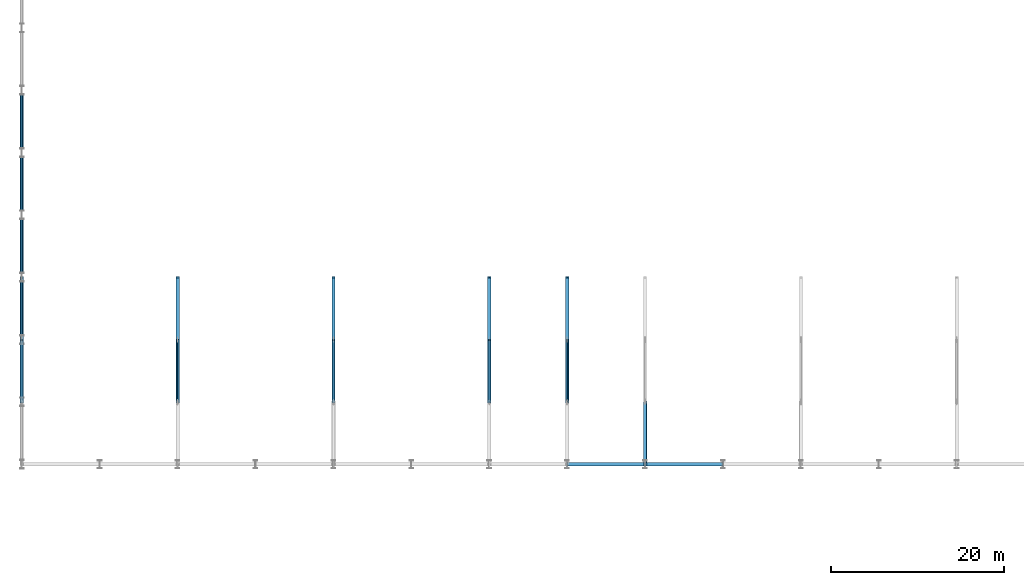
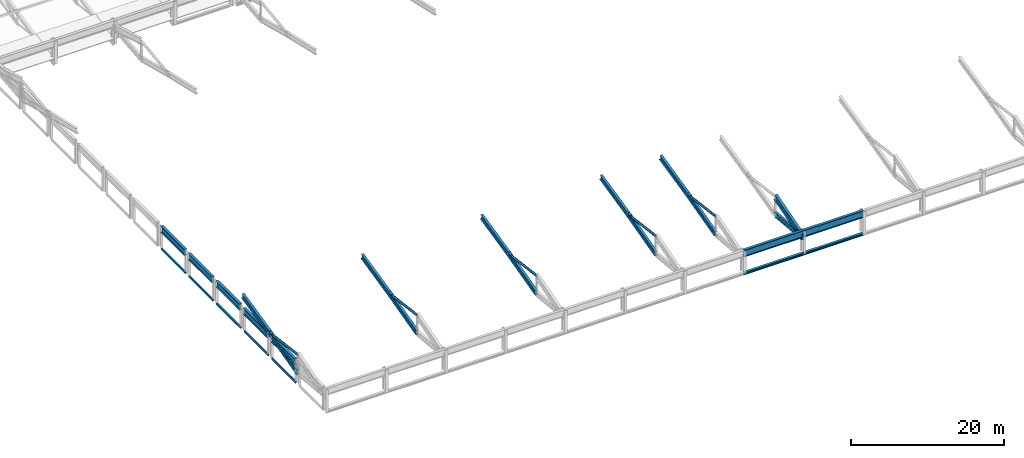
# One storey, part 16 of 151: 17 members, 14 beams.
"""IFC4 building model written with IfcOpenShell, lengths in metres."""

from ifc_helpers import new_model, si_unit, direction, frame, origin, origin_2d, place, context, subcontext, project, spatial, hollow_rectangle, hollow_circle, i_section, extrude, material, material_profile, profile_set, type_object, element, save


model = new_model("IFC4")

# Units and contexts
model_context = context("Model", 3, precision=1e-05, world=origin(), true_north=direction((0.0, 1.0)))
body_context = subcontext(model_context, "Body", "Model", "MODEL_VIEW")
ifc_project = project(units=[si_unit("LENGTHUNIT", "METRE"), si_unit("AREAUNIT", "SQUARE_METRE"), si_unit("VOLUMEUNIT", "CUBIC_METRE"), si_unit("PLANEANGLEUNIT", "RADIAN"), si_unit("MASSUNIT", "GRAM", prefix="KILO")], contexts=[model_context])

# Site, building, storey
site_placement = place(None, origin())
site = spatial("IfcSite", under=ifc_project, at=site_placement, CompositionType="ELEMENT")
building_placement = place(site_placement, origin())
building = spatial("IfcBuilding", under=site, at=building_placement, Name="Celestram Park Convention Centre", CompositionType="ELEMENT")
storey_placement = place(building_placement, frame((0.0, 0.0, 10.800048828125)))
storey = spatial("IfcBuildingStorey", under=building, at=storey_placement, Name="L02", CompositionType="ELEMENT", Elevation=10.800048828125)

# Beams
ifc_material_1 = material(Name="Steel ASTM A992 Grade 50", Category="steel")
ifc_material_profile_1 = material_profile(ifc_material_1, i_section(OverallWidth=0.40087890625, OverallDepth=1.010986328125, WebThickness=0.023681640625, FlangeThickness=0.0419921875, at=origin_2d()), Name="W40X297")
ifc_profile_set_1 = profile_set([ifc_material_profile_1], Name="Steel ASTM A992 Grade 50")
beam_type_1 = type_object("IfcBeamType", Name="STR-BM-W40X297", PredefinedType="BEAM", material=ifc_profile_set_1)
for number, where, z_axis, x_axis, name in (
    (1, (0.0, 29.303466796875, 3.094482421875), (0.0, 1.0, 0.0), (-1.0, 0.0, 0.0), "Exhibition gable tie girder BG-L02-0391"),
    (2, (0.0, 36.50341796875, 3.094482421875), (0.0, 1.0, 0.0), (-1.0, 0.0, 0.0), "Exhibition gable tie girder BG-L02-0392"),
):
    element("IfcBeam", number, at=place(storey_placement, frame(where, z_axis=z_axis, x_axis=x_axis)), inside=storey, type_object=beam_type_1, Name=name, PredefinedType="BEAM", context=body_context, shape_type="SweptSolid", body=[
        extrude(i_section(OverallWidth=0.40087890625, OverallDepth=1.010986328125, WebThickness=0.023681640625, FlangeThickness=0.0419921875, at=origin_2d()), origin(), (0.0, 0.0, 1.0), 6.193115234375),
    ])
for number, where, z_axis, x_axis, name in (
    (3, (0.0, 43.70361328125, 3.094482421875), (0.0, 1.0, 0.0), (-1.0, 0.0, 0.0), "Exhibition gable tie girder BG-L02-0393"),
    (4, (0.0, 50.903564453125, 3.094482421875), (0.0, 1.0, 0.0), (-1.0, 0.0, 0.0), "Exhibition gable tie girder BG-L02-0394"),
    (5, (0.0, 58.103515625, 3.094482421875), (0.0, 1.0, 0.0), (-1.0, 0.0, 0.0), "Exhibition gable tie girder BG-L02-0395"),
):
    element("IfcBeam", number, at=place(storey_placement, frame(where, z_axis=z_axis, x_axis=x_axis)), inside=storey, type_object=beam_type_1, Name=name, PredefinedType="BEAM", context=body_context, shape_type="SweptSolid", body=[
        extrude(i_section(OverallWidth=0.40087890625, OverallDepth=1.010986328125, WebThickness=0.023681640625, FlangeThickness=0.0419921875, at=origin_2d()), origin(), (0.0, 0.0, 1.0), 6.19287109375),
    ])
ifc_material_profile_2 = material_profile(ifc_material_1, i_section(OverallWidth=0.404052734375, OverallDepth=1.117919921875, WebThickness=0.026123046875, FlangeThickness=0.044921875, at=origin_2d()), Name="W44X335")
ifc_profile_set_2 = profile_set([ifc_material_profile_2], Name="Steel ASTM A992 Grade 50")
beam_type_2 = type_object("IfcBeamType", Name="STR-BM-W44X335", PredefinedType="BEAM", material=ifc_profile_set_2)
for number, where, z_axis, x_axis, name in (
    (6, (63.007568359375, 21.60009765625, 3.041015625), (1.0, 0.0, 0.0), (0.0, 1.0, 0.0), "Exhibition eaves tie girder BG-L02-0379"),
    (7, (72.007568359375, 21.60009765625, 3.041015625), (1.0, 0.0, 0.0), (0.0, 1.0, 0.0), "Exhibition eaves tie girder BG-L02-0380"),
):
    element("IfcBeam", number, at=place(storey_placement, frame(where, z_axis=z_axis, x_axis=x_axis)), inside=storey, type_object=beam_type_2, Name=name, PredefinedType="BEAM", context=body_context, shape_type="SweptSolid", body=[
        extrude(i_section(OverallWidth=0.404052734375, OverallDepth=1.117919921875, WebThickness=0.026123046875, FlangeThickness=0.044921875, at=origin_2d()), origin(), (0.0, 0.0, 1.0), 8.98486328125),
    ])

# Members
ifc_material_2 = material(Name="Steel ASTM A500 Grade C", Category="steel")
ifc_material_profile_3 = material_profile(ifc_material_2, hollow_circle(Radius=0.177978515625, WallThickness=0.011962890625, at=origin_2d()), Name="CHS356X12")
ifc_profile_set_3 = profile_set([ifc_material_profile_3], Name="Steel ASTM A500 Grade C")
member_type_1 = type_object("IfcMemberType", Name="STR-BRC-CHS356", PredefinedType="BRACE", material=ifc_profile_set_3)
for number, where, z_axis, x_axis, name in (
    (8, (0.0, 28.800048828125, 4.536865234375), (0.0, 0.991906664472, -0.126969165453), (-1.0, 0.0, 0.0), "V1 arch web diagonal"),
    (9, (18.0, 28.800048828125, 4.536865234375), (0.0, 0.991906664472, -0.126969165453), (-1.0, 0.0, 0.0), "V1 arch web diagonal"),
    (10, (36.0, 28.800048828125, 4.536865234375), (0.0, 0.991906664472, -0.126969165453), (-1.0, 0.0, 0.0), "V1 arch web diagonal"),
    (11, (54.0, 28.800048828125, 4.536865234375), (0.0, 0.991906664472, -0.126969165453), (-1.0, 0.0, 0.0), "V1 arch web diagonal"),
    (12, (63.0, 28.800048828125, 4.536865234375), (0.0, 0.991906664472, -0.126969165453), (-1.0, 0.0, 0.0), "V1 arch web diagonal"),
):
    element("IfcMember", number, at=place(storey_placement, frame(where, z_axis=z_axis, x_axis=x_axis)), inside=storey, type_object=member_type_1, Name=name, PredefinedType="BRACE", context=body_context, shape_type="SweptSolid", body=[
        extrude(hollow_circle(Radius=0.177978515625, WallThickness=0.011962890625, at=origin_2d()), origin(), (0.0, 0.0, 1.0), 7.2587890625),
    ])
ifc_material_profile_4 = material_profile(ifc_material_1, i_section(OverallWidth=0.381103515625, OverallDepth=0.77197265625, WebThickness=0.0166015625, FlangeThickness=0.027099609375, at=origin_2d()), Name="W30X173")
ifc_profile_set_4 = profile_set([ifc_material_profile_4], Name="Steel ASTM A992 Grade 50")
member_type_2 = type_object("IfcMemberType", Name="STR-CHD-W30X173", PredefinedType="CHORD", material=ifc_profile_set_4)
member_1_placement = place(storey_placement, frame((0.0, 28.800048828125, 1.73681640625), z_axis=(0.0, 0.967611697295, 0.252443267403), x_axis=(-1.0, 0.0, 0.0)))
element("IfcMember", 13, at=member_1_placement, inside=storey, type_object=member_type_2, Name="V1 arch bottom chord", PredefinedType="CHORD", context=body_context, shape_type="SweptSolid", body=[
    extrude(i_section(OverallWidth=0.381103515625, OverallDepth=0.77197265625, WebThickness=0.0166015625, FlangeThickness=0.027099609375, at=origin_2d()), origin(), (0.0, 0.0, 1.0), 7.44091796875),
])
member_2_placement = place(storey_placement, frame((0.0, 36.0, 3.615234375), z_axis=(0.0, 0.9747852179, 0.223145197045), x_axis=(-1.0, 0.0, 0.0)))
element("IfcMember", 14, at=member_2_placement, inside=storey, type_object=member_type_2, Name="V1 arch bottom chord", PredefinedType="CHORD", context=body_context, shape_type="SweptSolid", body=[
    extrude(i_section(OverallWidth=0.381103515625, OverallDepth=0.77197265625, WebThickness=0.0166015625, FlangeThickness=0.027099609375, at=origin_2d()), origin(), (0.0, 0.0, 1.0), 7.38623046875),
])
member_3_placement = place(storey_placement, frame((18.0, 28.800048828125, 1.73681640625), z_axis=(0.0, 0.967611697295, 0.252443267403), x_axis=(-1.0, 0.0, 0.0)))
element("IfcMember", 15, at=member_3_placement, inside=storey, type_object=member_type_2, Name="V1 arch bottom chord", PredefinedType="CHORD", context=body_context, shape_type="SweptSolid", body=[
    extrude(i_section(OverallWidth=0.381103515625, OverallDepth=0.77197265625, WebThickness=0.0166015625, FlangeThickness=0.027099609375, at=origin_2d()), origin(), (0.0, 0.0, 1.0), 7.44091796875),
])
member_4_placement = place(storey_placement, frame((18.0, 36.0, 3.615234375), z_axis=(0.0, 0.9747852179, 0.223145197045), x_axis=(-1.0, 0.0, 0.0)))
element("IfcMember", 16, at=member_4_placement, inside=storey, type_object=member_type_2, Name="V1 arch bottom chord", PredefinedType="CHORD", context=body_context, shape_type="SweptSolid", body=[
    extrude(i_section(OverallWidth=0.381103515625, OverallDepth=0.77197265625, WebThickness=0.0166015625, FlangeThickness=0.027099609375, at=origin_2d()), origin(), (0.0, 0.0, 1.0), 7.38623046875),
])
member_5_placement = place(storey_placement, frame((36.0, 28.800048828125, 1.73681640625), z_axis=(0.0, 0.967611697295, 0.252443267403), x_axis=(-1.0, 0.0, 0.0)))
element("IfcMember", 17, at=member_5_placement, inside=storey, type_object=member_type_2, Name="V1 arch bottom chord", PredefinedType="CHORD", context=body_context, shape_type="SweptSolid", body=[
    extrude(i_section(OverallWidth=0.381103515625, OverallDepth=0.77197265625, WebThickness=0.0166015625, FlangeThickness=0.027099609375, at=origin_2d()), origin(), (0.0, 0.0, 1.0), 7.44091796875),
])
member_6_placement = place(storey_placement, frame((36.0, 36.0, 3.615234375), z_axis=(0.0, 0.9747852179, 0.223145197045), x_axis=(-1.0, 0.0, 0.0)))
element("IfcMember", 18, at=member_6_placement, inside=storey, type_object=member_type_2, Name="V1 arch bottom chord", PredefinedType="CHORD", context=body_context, shape_type="SweptSolid", body=[
    extrude(i_section(OverallWidth=0.381103515625, OverallDepth=0.77197265625, WebThickness=0.0166015625, FlangeThickness=0.027099609375, at=origin_2d()), origin(), (0.0, 0.0, 1.0), 7.38623046875),
])
member_7_placement = place(storey_placement, frame((54.0, 28.800048828125, 1.73681640625), z_axis=(0.0, 0.967611697295, 0.252443267403), x_axis=(-1.0, 0.0, 0.0)))
element("IfcMember", 19, at=member_7_placement, inside=storey, type_object=member_type_2, Name="V1 arch bottom chord", PredefinedType="CHORD", context=body_context, shape_type="SweptSolid", body=[
    extrude(i_section(OverallWidth=0.381103515625, OverallDepth=0.77197265625, WebThickness=0.0166015625, FlangeThickness=0.027099609375, at=origin_2d()), origin(), (0.0, 0.0, 1.0), 7.44091796875),
])
member_8_placement = place(storey_placement, frame((54.0, 36.0, 3.615234375), z_axis=(0.0, 0.9747852179, 0.223145197045), x_axis=(-1.0, 0.0, 0.0)))
element("IfcMember", 20, at=member_8_placement, inside=storey, type_object=member_type_2, Name="V1 arch bottom chord", PredefinedType="CHORD", context=body_context, shape_type="SweptSolid", body=[
    extrude(i_section(OverallWidth=0.381103515625, OverallDepth=0.77197265625, WebThickness=0.0166015625, FlangeThickness=0.027099609375, at=origin_2d()), origin(), (0.0, 0.0, 1.0), 7.38623046875),
])
member_9_placement = place(storey_placement, frame((63.0, 28.800048828125, 1.73681640625), z_axis=(0.0, 0.967611697295, 0.252443267403), x_axis=(-1.0, 0.0, 0.0)))
element("IfcMember", 21, at=member_9_placement, inside=storey, type_object=member_type_2, Name="V1 arch bottom chord", PredefinedType="CHORD", context=body_context, shape_type="SweptSolid", body=[
    extrude(i_section(OverallWidth=0.381103515625, OverallDepth=0.77197265625, WebThickness=0.0166015625, FlangeThickness=0.027099609375, at=origin_2d()), origin(), (0.0, 0.0, 1.0), 7.44091796875),
])
member_10_placement = place(storey_placement, frame((63.0, 36.0, 3.615234375), z_axis=(0.0, 0.9747852179, 0.223145197045), x_axis=(-1.0, 0.0, 0.0)))
element("IfcMember", 22, at=member_10_placement, inside=storey, type_object=member_type_2, Name="V1 arch bottom chord", PredefinedType="CHORD", context=body_context, shape_type="SweptSolid", body=[
    extrude(i_section(OverallWidth=0.381103515625, OverallDepth=0.77197265625, WebThickness=0.0166015625, FlangeThickness=0.027099609375, at=origin_2d()), origin(), (0.0, 0.0, 1.0), 7.38623046875),
])
member_11_placement = place(storey_placement, frame((72.0, 21.60009765625, 2.428466796875), z_axis=(0.0, 0.995417621099, -0.095623007717), x_axis=(-1.0, 0.0, 0.0)))
element("IfcMember", 23, at=member_11_placement, inside=storey, type_object=member_type_2, Name="V1 arch bottom chord", PredefinedType="CHORD", context=body_context, shape_type="SweptSolid", body=[
    extrude(i_section(OverallWidth=0.381103515625, OverallDepth=0.77197265625, WebThickness=0.0166015625, FlangeThickness=0.027099609375, at=origin_2d()), origin(), (0.0, 0.0, 1.0), 7.233154296875),
])
ifc_material_profile_5 = material_profile(ifc_material_1, i_section(OverallWidth=0.4189453125, OverallDepth=0.927001953125, WebThickness=0.019287109375, FlangeThickness=0.031982421875, at=origin_2d()), Name="W36X231")
ifc_profile_set_5 = profile_set([ifc_material_profile_5], Name="Steel ASTM A992 Grade 50")
member_type_3 = type_object("IfcMemberType", Name="STR-CHD-W36X231", PredefinedType="CHORD", material=ifc_profile_set_5)
member_12_placement = place(storey_placement, frame((72.0, 21.60009765625, 2.428466796875), z_axis=(0.0, 0.959698026141, 0.281033269599), x_axis=(-1.0, 0.0, 0.0)))
element("IfcMember", 24, at=member_12_placement, inside=storey, type_object=member_type_3, Name="V1 arch top chord", PredefinedType="CHORD", context=body_context, shape_type="SweptSolid", body=[
    extrude(i_section(OverallWidth=0.4189453125, OverallDepth=0.927001953125, WebThickness=0.019287109375, FlangeThickness=0.031982421875, at=origin_2d()), origin(), (0.0, 0.0, 1.0), 7.502197265625),
])

# Beams
ifc_material_profile_6 = material_profile(ifc_material_2, hollow_rectangle(XDim=0.199951171875, YDim=0.300048828125, WallThickness=0.011962890625, at=origin_2d()), Name="HSS300X200X12")
ifc_profile_set_6 = profile_set([ifc_material_profile_6], Name="Steel ASTM A500 Grade C")
beam_type_3 = type_object("IfcBeamType", Name="STR-SPN-HSS300X200", PredefinedType="SPANDREL", material=ifc_profile_set_6)
for number, where, z_axis, x_axis, name in (
    (25, (0.0, 29.263916015625, -0.150146484375), (0.0, 1.0, 0.0), (-1.0, 0.0, 0.0), "High-bay perimeter spandrel SPB-L02-019"),
    (26, (0.0, 36.464111328125, -0.150146484375), (0.0, 1.0, 0.0), (-1.0, 0.0, 0.0), "High-bay perimeter spandrel SPB-L02-020"),
    (27, (0.0, 43.6640625, -0.150146484375), (0.0, 1.0, 0.0), (-1.0, 0.0, 0.0), "High-bay perimeter spandrel SPB-L02-021"),
    (28, (0.0, 50.864013671875, -0.150146484375), (0.0, 1.0, 0.0), (-1.0, 0.0, 0.0), "High-bay perimeter spandrel SPB-L02-022"),
    (29, (0.0, 58.06396484375, -0.150146484375), (0.0, 1.0, 0.0), (-1.0, 0.0, 0.0), "High-bay perimeter spandrel SPB-L02-023"),
):
    element("IfcBeam", number, at=place(storey_placement, frame(where, z_axis=z_axis, x_axis=x_axis)), inside=storey, type_object=beam_type_3, Name=name, PredefinedType="SPANDREL", context=body_context, shape_type="SweptSolid", body=[
        extrude(hollow_rectangle(XDim=0.199951171875, YDim=0.300048828125, WallThickness=0.011962890625, at=origin_2d()), origin(), (0.0, 0.0, 1.0), 6.27197265625),
    ])
ifc_material_profile_7 = material_profile(ifc_material_1, i_section(OverallWidth=0.373046875, OverallDepth=0.373046875, WebThickness=0.016357421875, FlangeThickness=0.026123046875, at=origin_2d()), Name="W14X132")
ifc_profile_set_7 = profile_set([ifc_material_profile_7], Name="Steel ASTM A992 Grade 50")
beam_type_4 = type_object("IfcBeamType", Name="STR-SPN-W14X132", PredefinedType="SPANDREL", material=ifc_profile_set_7)
for number, where, z_axis, x_axis, name in (
    (30, (63.010009765625, 21.60009765625, -0.1865234375), (1.0, 0.0, 0.0), (0.0, 1.0, 0.0), "High-bay perimeter spandrel SPB-L02-037"),
    (31, (72.010009765625, 21.60009765625, -0.1865234375), (1.0, 0.0, 0.0), (0.0, 1.0, 0.0), "High-bay perimeter spandrel SPB-L02-038"),
):
    element("IfcBeam", number, at=place(storey_placement, frame(where, z_axis=z_axis, x_axis=x_axis)), inside=storey, type_object=beam_type_4, Name=name, PredefinedType="SPANDREL", context=body_context, shape_type="SweptSolid", body=[
        extrude(i_section(OverallWidth=0.373046875, OverallDepth=0.373046875, WebThickness=0.016357421875, FlangeThickness=0.026123046875, at=origin_2d()), origin(), (0.0, 0.0, 1.0), 8.97998046875),
    ])

save(model, "model.ifc")
